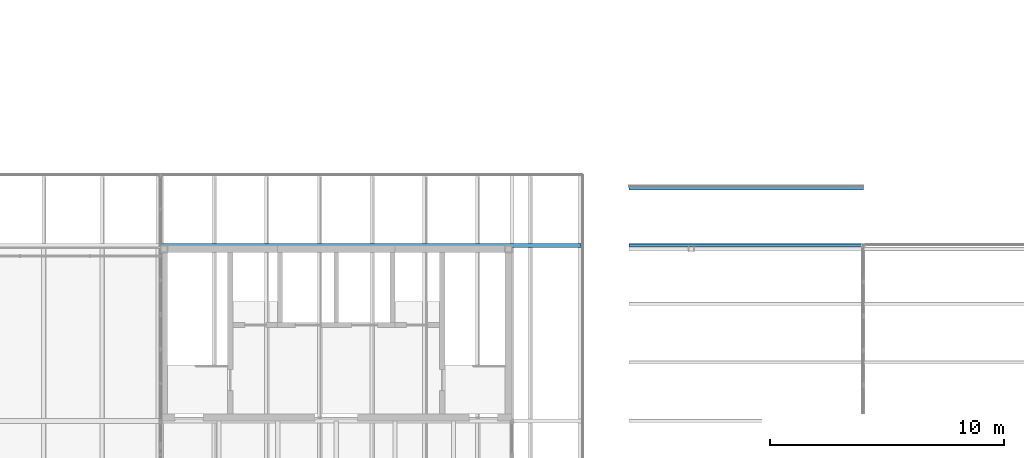
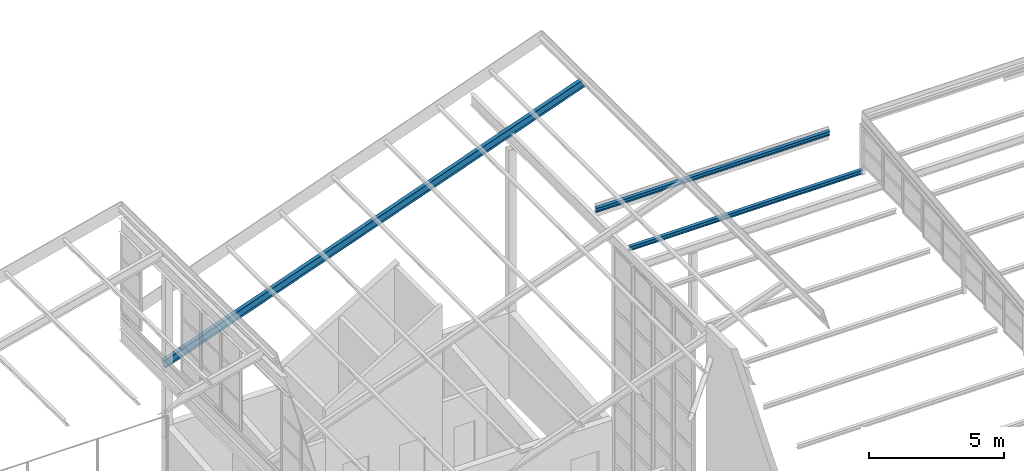
# One storey, part 64 of 483: 3 members.
"""IFC4 building model written with IfcOpenShell, lengths in metres."""

import ifcopenshell
import ifcopenshell.guid

model = None  # the IFC model being written
_history = None  # IfcOwnerHistory: only IFC2X3 demands one
_inside = {}  # id of a spatial element -> (the spatial element, [elements in it])
_under = {}  # id of a project, library or spatial element -> (it, [spatial elements below it])
_declared = {}  # id of a project -> (the project, [libraries it declares])
_typed = {}  # id of a type object -> (the type object, [elements of that type])
_made_of = {}  # id of a material, layer set ... -> (it, [elements and type objects made of it])


def new_model(schema):
    """Start an empty IFC model of exactly this schema.

    Asked for "IFC4X3", IfcOpenShell would pick the latest addendum, in which some entities
    have other attributes; the version numbers below select the first issue.
    IFC2X3 requires an IfcOwnerHistory on every rooted entity: one is made here for all.
    """
    global model, _history
    if schema == "IFC4X3":
        model = ifcopenshell.file(schema_version=(4, 3, 0, 0))
    else:
        model = ifcopenshell.file(schema=schema)
    _inside.clear()
    _under.clear()
    _declared.clear()
    _typed.clear()
    _made_of.clear()
    _history = None
    if model.schema == "IFC2X3":
        org = make("IfcOrganization", Name="unknown")
        user = make(
            "IfcPersonAndOrganization",
            ThePerson=make("IfcPerson", FamilyName="unknown"),
            TheOrganization=org,
        )
        app = make(
            "IfcApplication",
            ApplicationDeveloper=org,
            Version="unknown",
            ApplicationFullName="unknown",
            ApplicationIdentifier="unknown",
        )
        _history = make(
            "IfcOwnerHistory",
            OwningUser=user,
            OwningApplication=app,
            ChangeAction="ADDED",
            CreationDate=0,
        )
    return model


def make(cls, **values):
    """One entity of the class cls with the attributes given. An attribute that is None is left unset."""
    return model.create_entity(
        cls, **{name: value for name, value in values.items() if value is not None}
    )


def rooted(cls, **values):
    """An entity with a GlobalId (a new one), such as an element, a storey or a relation."""
    return make(cls, GlobalId=ifcopenshell.guid.new(), OwnerHistory=_history, **values)


def si_unit(unit_type, name, prefix=None):
    """IfcSIUnit, for example si_unit("LENGTHUNIT", "METRE", prefix="MILLI")."""
    return make("IfcSIUnit", UnitType=unit_type, Prefix=prefix, Name=name)


def assignment(units):
    """IfcUnitAssignment: the units of a project."""
    return None if units is None else make("IfcUnitAssignment", Units=units)


def point(xyz):
    """IfcCartesianPoint."""
    return None if xyz is None else make("IfcCartesianPoint", Coordinates=xyz)


def direction(xyz):
    """IfcDirection."""
    return None if xyz is None else make("IfcDirection", DirectionRatios=xyz)


def frame(location, z_axis=None, x_axis=None):
    """IfcAxis2Placement3D, a coordinate frame: its origin and axes. An axis left out is left unset."""
    return make(
        "IfcAxis2Placement3D",
        Location=point(location),
        Axis=direction(z_axis),
        RefDirection=direction(x_axis),
    )


def frame_2d(location, x_axis=None):
    """IfcAxis2Placement2D, a coordinate frame in the plane: its origin and x axis."""
    return make(
        "IfcAxis2Placement2D", Location=point(location), RefDirection=direction(x_axis)
    )


def origin():
    """The frame at (0, 0, 0) with its axes left unset."""
    return frame((0.0, 0.0, 0.0))


def origin_2d():
    """The frame at (0, 0) in the plane with its x axis left unset."""
    return frame_2d((0.0, 0.0))


def place(relative_to, where):
    """IfcLocalPlacement: puts the frame where relative to a parent placement (None: the world)."""
    return make(
        "IfcLocalPlacement", PlacementRelTo=relative_to, RelativePlacement=where
    )


def context(
    kind, dimensions, precision=None, world=None, true_north=None, identifier=None
):
    """IfcGeometricRepresentationContext, for example the 3D "Model" context."""
    return make(
        "IfcGeometricRepresentationContext",
        ContextIdentifier=identifier,
        ContextType=kind,
        CoordinateSpaceDimension=dimensions,
        Precision=precision,
        WorldCoordinateSystem=world,
        TrueNorth=true_north,
    )


def subcontext(parent, identifier, kind, view, scale=None):
    """IfcGeometricRepresentationSubContext, for example "Body" below "Model"."""
    return make(
        "IfcGeometricRepresentationSubContext",
        ContextIdentifier=identifier,
        ContextType=kind,
        ParentContext=parent,
        TargetScale=scale,
        TargetView=view,
    )


def project(units=None, contexts=None):
    """IfcProject with its units and contexts."""
    return rooted(
        "IfcProject",
        Name="project",
        RepresentationContexts=contexts,
        UnitsInContext=assignment(units),
    )


def spatial(cls, under=None, at=None, **own):
    """A site, building, storey or space (cls), placed at a placement, below another one or the project."""
    s = rooted(cls, ObjectPlacement=at, **own)
    if under is not None:
        _under.setdefault(under.id(), (under, []))[1].append(s)
    return s


def profile(cls, at=None, kind="AREA", **sizes):
    """A parametric profile (cls). Its sizes go by their IFC names, for example OverallWidth=200.0."""
    return make(cls, ProfileType=kind, Position=at, **sizes)


def i_section(**sizes):
    """IfcIShapeProfileDef."""
    return profile("IfcIShapeProfileDef", **sizes)


def extrude(swept, where, along, depth):
    """IfcExtrudedAreaSolid: the profile swept, set in the frame where, extruded along a direction by depth."""
    return make(
        "IfcExtrudedAreaSolid",
        SweptArea=swept,
        Position=where,
        ExtrudedDirection=direction(along),
        Depth=depth,
    )


def shape(context_of_items, identifier, shape_type, items):
    """IfcShapeRepresentation: the items that make up one representation, for example the "Body"."""
    return make(
        "IfcShapeRepresentation",
        ContextOfItems=context_of_items,
        RepresentationIdentifier=identifier,
        RepresentationType=shape_type,
        Items=items,
    )


def material(Name=None, Category=None):
    """IfcMaterial."""
    return make("IfcMaterial", Name=Name, Category=Category)


def material_profile(
    of_material, cross_section, Name=None, Category=None, Priority=None
):
    """IfcMaterialProfile: a cross section and its material."""
    return make(
        "IfcMaterialProfile",
        Name=Name,
        Material=of_material,
        Profile=cross_section,
        Priority=Priority,
        Category=Category,
    )


def profile_set(profiles, Name=None, composite=None):
    """IfcMaterialProfileSet."""
    return make(
        "IfcMaterialProfileSet",
        Name=Name,
        MaterialProfiles=profiles,
        CompositeProfile=composite,
    )


def made_of(thing, what):
    """Note that an element or type object is made of a material, layer set ...; save() writes the relation."""
    if what is not None:
        _made_of.setdefault(what.id(), (what, []))[1].append(thing)
    return thing


def type_object(cls, material=None, **own):
    """A type object (cls), such as IfcWallType, which elements share."""
    return made_of(rooted(cls, **own), material)


def element(
    cls,
    number,
    at=None,
    inside=None,
    cuts=None,
    type_object=None,
    material=None,
    context=None,
    identifier="Body",
    shape_type=None,
    held_by="IfcProductDefinitionShape",
    body=None,
    shapes=None,
    **own,
):
    """One element of the class cls, such as IfcWall. Its Tag is "e" and its number.

    at: its placement. inside: the storey or other place that contains it. cuts: it is an
    opening in that element (IfcRelVoidsElement). A single representation is given by context,
    identifier, shape_type and body (its items); several are given by shapes. held_by: the class
    of the entity that holds the representations. save() writes the other relations.
    """
    e = rooted(cls, Tag="e%d" % number, ObjectPlacement=at, **own)
    if body is not None:
        shapes = [shape(context, identifier, shape_type, body)]
    if shapes is not None:
        e.Representation = make(held_by, Representations=shapes)
    if inside is not None:
        _inside.setdefault(inside.id(), (inside, []))[1].append(e)
    if cuts is not None:
        rooted(
            "IfcRelVoidsElement", RelatingBuildingElement=cuts, RelatedOpeningElement=e
        )
    if type_object is not None:
        _typed.setdefault(type_object.id(), (type_object, []))[1].append(e)
    return made_of(e, material)


def aggregate(whole, parts):
    """IfcRelAggregates: a whole, such as a stair, and the parts it consists of."""
    return rooted("IfcRelAggregates", RelatingObject=whole, RelatedObjects=parts)


def save(model, path):
    """Write the relations noted so far, then the file.

    IfcRelAggregates (storeys below a building ...), IfcRelContainedInSpatialStructure (elements
    in a storey), IfcRelDefinesByType, IfcRelAssociatesMaterial and IfcRelDeclares: one each for
    every whole, place, type object, material and project.
    """
    for whole, parts in _under.values():
        aggregate(whole, parts)
    for where, things in _inside.values():
        rooted(
            "IfcRelContainedInSpatialStructure",
            RelatedElements=things,
            RelatingStructure=where,
        )
    for kind, things in _typed.values():
        rooted("IfcRelDefinesByType", RelatedObjects=things, RelatingType=kind)
    for what, things in _made_of.values():
        rooted("IfcRelAssociatesMaterial", RelatedObjects=things, RelatingMaterial=what)
    for by, libraries in _declared.values():
        rooted("IfcRelDeclares", RelatingContext=by, RelatedDefinitions=libraries)
    model.write(path)


model = new_model("IFC4")

# Units and contexts
model_context = context("Model", 3, precision=1e-05, world=origin(), true_north=direction((0.0, 1.0)))
body_context = subcontext(model_context, "Body", "Model", "MODEL_VIEW")
ifc_project = project(units=[si_unit("LENGTHUNIT", "METRE"), si_unit("AREAUNIT", "SQUARE_METRE"), si_unit("VOLUMEUNIT", "CUBIC_METRE"), si_unit("PLANEANGLEUNIT", "RADIAN"), si_unit("MASSUNIT", "GRAM", prefix="KILO")], contexts=[model_context])

# Site, building, storey
site_placement = place(None, origin())
site = spatial("IfcSite", under=ifc_project, at=site_placement, CompositionType="ELEMENT")
building_placement = place(site_placement, origin())
building = spatial("IfcBuilding", under=site, at=building_placement, Name="Parallax Yard Mobility Hub", CompositionType="ELEMENT")
storey_placement = place(building_placement, frame((0.0, 0.0, 13.199951171875)))
storey = spatial("IfcBuildingStorey", under=building, at=storey_placement, Name="L04", CompositionType="ELEMENT", Elevation=13.199951171875)

# Members
ifc_material = material(Name="Steel ASTM A992", Category="steel")
ifc_material_profile_1 = material_profile(ifc_material, i_section(OverallWidth=0.133056640625, OverallDepth=0.20703125, WebThickness=0.005859375, FlangeThickness=0.00830078125, at=origin_2d()), Name="W200x27")
ifc_profile_set_1 = profile_set([ifc_material_profile_1], Name="Steel ASTM A992")
member_type_1 = type_object("IfcMemberType", Name="Roof purlin W200x27", PredefinedType="PURLIN", material=ifc_profile_set_1)
for number, where, z_axis, x_axis, name in (
    (1, (147.5, 52.511474609375, 4.752685546875), (1.0, 0.0, 0.0), (0.0, 0.993883718765, 0.110431669255), "Roof purlin west of the monitor at y 52.5"),
    (2, (147.5, 54.951416015625, 5.02392578125), (1.0, 0.0, 0.0), (0.0, 0.993883718765, 0.110431669255), "Roof purlin west of the monitor at y 54.94"),
):
    element("IfcMember", number, at=place(storey_placement, frame(where, z_axis=z_axis, x_axis=x_axis)), inside=storey, type_object=member_type_1, Name=name, PredefinedType="PURLIN", context=body_context, shape_type="SweptSolid", body=[
        extrude(i_section(OverallWidth=0.133056640625, OverallDepth=0.20703125, WebThickness=0.005859375, FlangeThickness=0.00830078125, at=origin_2d()), origin(), (0.0, 0.0, 1.0), 10.0),
    ])
ifc_material_profile_2 = material_profile(ifc_material, i_section(OverallWidth=0.1708984375, OverallDepth=0.35498046875, WebThickness=0.007080078125, FlangeThickness=0.01171875, at=origin_2d()), Name="W360x51")
ifc_profile_set_2 = profile_set([ifc_material_profile_2], Name="Steel ASTM A992")
member_type_2 = type_object("IfcMemberType", Name="Roof rafter W360x51", PredefinedType="RAFTER", material=ifc_profile_set_2)
member_placement = place(storey_placement, frame((127.56005859375, 52.5, 6.499267578125), z_axis=(0.940884475378, 0.0, 0.33872762508), x_axis=(0.0, 1.0, 0.0)))
element("IfcMember", 3, at=member_placement, inside=storey, type_object=member_type_2, Name="Roof rafter pavilion at y 52.5", PredefinedType="RAFTER", context=body_context, shape_type="SweptSolid", body=[
    extrude(i_section(OverallWidth=0.1708984375, OverallDepth=0.35498046875, WebThickness=0.007080078125, FlangeThickness=0.01171875, at=origin_2d()), origin(), (0.0, 0.0, 1.0), 19.07763671875),
])

save(model, "model.ifc")
